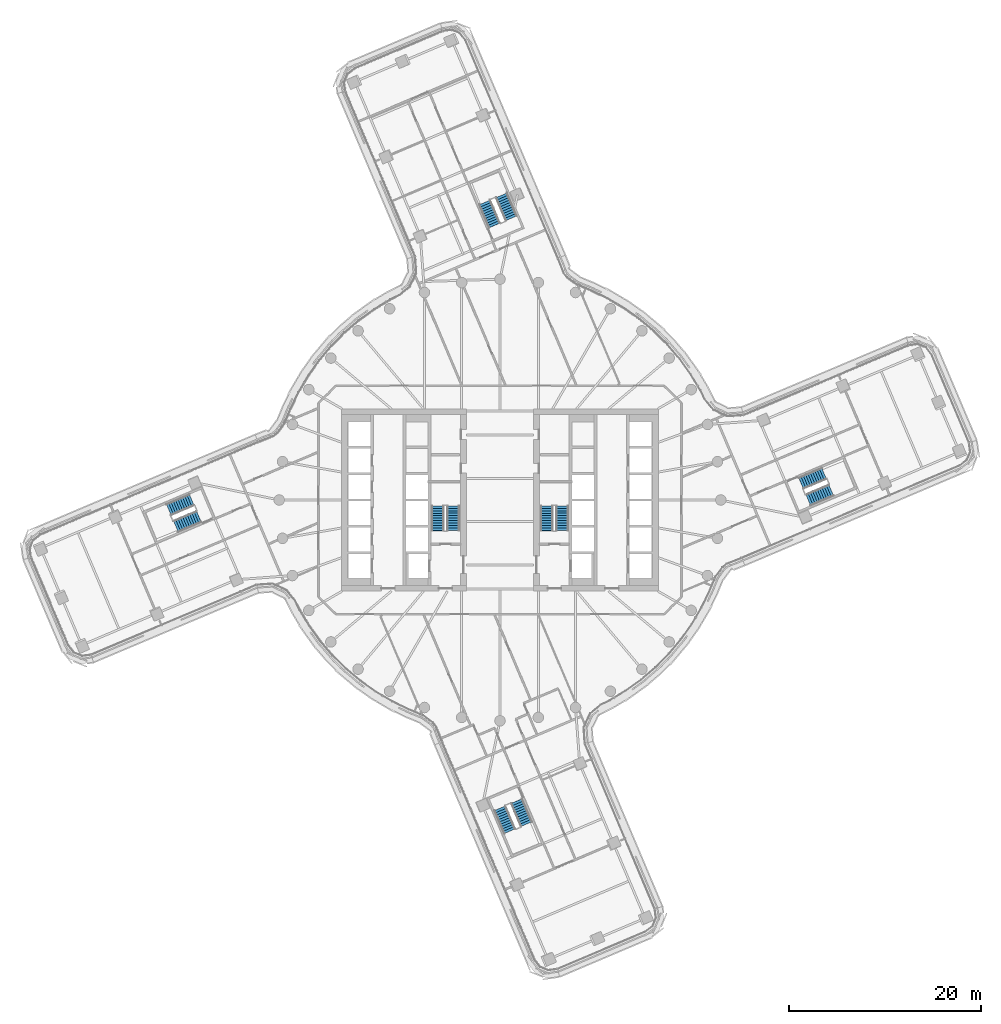
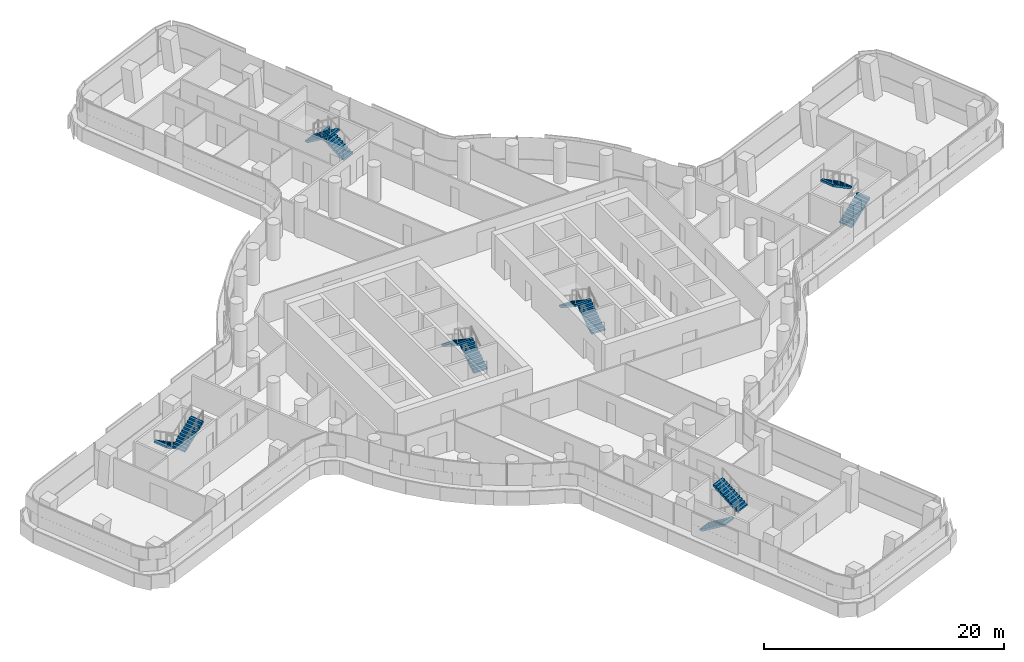
# One storey, part 27 of 35: 12 stair flights, 6 elements without a shape of their own.
"""IFC4 building model written with IfcOpenShell, lengths in metres."""

from ifc_helpers import new_model, si_unit, direction, frame, origin, place, context, subcontext, project, spatial, polyline, outline, extrude, material, type_object, element, aggregate, save


model = new_model("IFC4")

# Units and contexts
model_context = context("Model", 3, precision=1e-05, world=origin(), true_north=direction((0.0, 1.0)))
body_context = subcontext(model_context, "Body", "Model", "MODEL_VIEW")
ifc_project = project(units=[si_unit("LENGTHUNIT", "METRE"), si_unit("AREAUNIT", "SQUARE_METRE"), si_unit("VOLUMEUNIT", "CUBIC_METRE"), si_unit("PLANEANGLEUNIT", "RADIAN"), si_unit("MASSUNIT", "GRAM", prefix="KILO")], contexts=[model_context])

# Site, building, storey
site_placement = place(None, origin())
site = spatial("IfcSite", under=ifc_project, at=site_placement, CompositionType="ELEMENT")
building_placement = place(site_placement, origin())
building = spatial("IfcBuilding", under=site, at=building_placement, Name="Tamarind Cross Interchange Tower", CompositionType="ELEMENT")
storey_placement = place(building_placement, frame((0.0, 0.0, 117.25)))
storey = spatial("IfcBuildingStorey", under=building, at=storey_placement, Name="L28", CompositionType="ELEMENT", Elevation=117.25)

# Stair, stair flights
ifc_material_1 = material(Name="Exit stair")
stair_type = type_object("IfcStairType", Name="Exit stair", PredefinedType="HALF_TURN_STAIR", material=ifc_material_1)
stair_1_placement = place(storey_placement, origin())
stair_1 = element("IfcStair", 1, at=stair_1_placement, inside=storey, type_object=stair_type, Name="L28 exit stair ST1", PredefinedType="HALF_TURN_STAIR")
ifc_material_2 = material(Name="Exit stair flight")
stair_flight_type = type_object("IfcStairFlightType", Name="Exit stair flight", PredefinedType="STRAIGHT", material=ifc_material_2)
stair_flight_1_placement = place(storey_placement, frame((-4.85009765625, -3.199951171875, 0.0), z_axis=(0.0, 0.0, 1.0), x_axis=(0.0, 1.0, 0.0)))
stair_flight_1 = element("IfcStairFlight", 2, at=stair_flight_1_placement, type_object=stair_flight_type, Name="ST1 flight 1", NumberOfRisers=11, NumberOfTreads=10, PredefinedType="STRAIGHT", RiserHeight=0.170454545, TreadLength=0.26, context=body_context, shape_type="SweptSolid", body=[
    extrude(outline(polyline([(0.0, 0.0), (0.0, 0.17041015625), (0.260009765625, 0.17041015625), (0.260009765625, 0.3408203125), (0.52001953125, 0.3408203125), (0.52001953125, 0.511474609375), (0.780029296875, 0.511474609375), (0.780029296875, 0.681884765625), (1.0400390625, 0.681884765625), (1.0400390625, 0.852294921875), (1.300048828125, 0.852294921875), (1.300048828125, 1.022705078125), (1.56005859375, 1.022705078125), (1.56005859375, 1.193115234375), (1.820068359375, 1.193115234375), (1.820068359375, 1.363525390625), (2.080078125, 1.363525390625), (2.080078125, 1.5341796875), (2.340087890625, 1.5341796875), (2.340087890625, 1.70458984375), (2.60009765625, 1.70458984375), (2.60009765625, 1.875), (2.60009765625, 1.525390625), (0.2734375, 0.0), (0.0, 0.0)])), frame((0.0, 0.64990234375, 0.0), z_axis=(0.0, -1.0, 0.0), x_axis=(1.0, 0.0, 0.0)), (0.0, 0.0, 1.0), 1.300048828125),
])
stair_flight_2_placement = place(storey_placement, frame((-6.5, -0.60009765625, 1.875), z_axis=(0.0, 0.0, 1.0), x_axis=(0.0, -1.0, 0.0)))
stair_flight_2 = element("IfcStairFlight", 3, at=stair_flight_2_placement, type_object=stair_flight_type, Name="ST1 flight 2", NumberOfRisers=11, NumberOfTreads=10, PredefinedType="STRAIGHT", RiserHeight=0.170454545, TreadLength=0.26, context=body_context, shape_type="SweptSolid", body=[
    extrude(outline(polyline([(0.0, 0.0), (0.0, 0.17041015625), (0.260009765625, 0.17041015625), (0.260009765625, 0.3408203125), (0.52001953125, 0.3408203125), (0.52001953125, 0.511474609375), (0.780029296875, 0.511474609375), (0.780029296875, 0.681884765625), (1.0400390625, 0.681884765625), (1.0400390625, 0.852294921875), (1.300048828125, 0.852294921875), (1.300048828125, 1.022705078125), (1.56005859375, 1.022705078125), (1.56005859375, 1.193115234375), (1.820068359375, 1.193115234375), (1.820068359375, 1.363525390625), (2.080078125, 1.363525390625), (2.080078125, 1.5341796875), (2.340087890625, 1.5341796875), (2.340087890625, 1.70458984375), (2.60009765625, 1.70458984375), (2.60009765625, 1.7548828125), (2.612060546875, 1.7548828125), (2.612060546875, 1.533203125), (0.2734375, 0.0), (0.0, 0.0)])), frame((0.0, 0.64990234375, 0.0), z_axis=(0.0, -1.0, 0.0), x_axis=(1.0, 0.0, 0.0)), (0.0, 0.0, 1.0), 1.300048828125),
])
aggregate(stair_1, [stair_flight_1, stair_flight_2])

stair_2_placement = place(storey_placement, origin())
stair_2 = element("IfcStair", 4, at=stair_2_placement, inside=storey, type_object=stair_type, Name="L28 exit stair ST2", PredefinedType="HALF_TURN_STAIR")
stair_flight_3_placement = place(storey_placement, frame((6.5, -3.199951171875, 0.0), z_axis=(0.0, 0.0, 1.0), x_axis=(0.0, 1.0, 0.0)))
stair_flight_3 = element("IfcStairFlight", 5, at=stair_flight_3_placement, type_object=stair_flight_type, Name="ST2 flight 1", NumberOfRisers=11, NumberOfTreads=10, PredefinedType="STRAIGHT", RiserHeight=0.170454545, TreadLength=0.26, context=body_context, shape_type="SweptSolid", body=[
    extrude(outline(polyline([(0.0, 0.0), (0.0, 0.17041015625), (0.260009765625, 0.17041015625), (0.260009765625, 0.3408203125), (0.52001953125, 0.3408203125), (0.52001953125, 0.511474609375), (0.780029296875, 0.511474609375), (0.780029296875, 0.681884765625), (1.0400390625, 0.681884765625), (1.0400390625, 0.852294921875), (1.300048828125, 0.852294921875), (1.300048828125, 1.022705078125), (1.56005859375, 1.022705078125), (1.56005859375, 1.193115234375), (1.820068359375, 1.193115234375), (1.820068359375, 1.363525390625), (2.080078125, 1.363525390625), (2.080078125, 1.5341796875), (2.340087890625, 1.5341796875), (2.340087890625, 1.70458984375), (2.60009765625, 1.70458984375), (2.60009765625, 1.875), (2.60009765625, 1.525390625), (0.2734375, 0.0), (0.0, 0.0)])), frame((0.0, 0.64990234375, 0.0), z_axis=(0.0, -1.0, 0.0), x_axis=(1.0, 0.0, 0.0)), (0.0, 0.0, 1.0), 1.300048828125),
])
stair_flight_4_placement = place(storey_placement, frame((4.85009765625, -0.60009765625, 1.875), z_axis=(0.0, 0.0, 1.0), x_axis=(0.0, -1.0, 0.0)))
stair_flight_4 = element("IfcStairFlight", 6, at=stair_flight_4_placement, type_object=stair_flight_type, Name="ST2 flight 2", NumberOfRisers=11, NumberOfTreads=10, PredefinedType="STRAIGHT", RiserHeight=0.170454545, TreadLength=0.26, context=body_context, shape_type="SweptSolid", body=[
    extrude(outline(polyline([(0.0, 0.0), (0.0, 0.17041015625), (0.260009765625, 0.17041015625), (0.260009765625, 0.3408203125), (0.52001953125, 0.3408203125), (0.52001953125, 0.511474609375), (0.780029296875, 0.511474609375), (0.780029296875, 0.681884765625), (1.0400390625, 0.681884765625), (1.0400390625, 0.852294921875), (1.300048828125, 0.852294921875), (1.300048828125, 1.022705078125), (1.56005859375, 1.022705078125), (1.56005859375, 1.193115234375), (1.820068359375, 1.193115234375), (1.820068359375, 1.363525390625), (2.080078125, 1.363525390625), (2.080078125, 1.5341796875), (2.340087890625, 1.5341796875), (2.340087890625, 1.70458984375), (2.60009765625, 1.70458984375), (2.60009765625, 1.7548828125), (2.612060546875, 1.7548828125), (2.612060546875, 1.533203125), (0.2734375, 0.0), (0.0, 0.0)])), frame((0.0, 0.64990234375, 0.0), z_axis=(0.0, -1.0, 0.0), x_axis=(1.0, 0.0, 0.0)), (0.0, 0.0, 1.0), 1.300048828125),
])
aggregate(stair_2, [stair_flight_3, stair_flight_4])

stair_3_placement = place(storey_placement, origin())
stair_3 = element("IfcStair", 7, at=stair_3_placement, inside=storey, type_object=stair_type, Name="L28 exit stair ST3", PredefinedType="HALF_TURN_STAIR")
stair_flight_5_placement = place(storey_placement, frame((32.10400390625, -0.004638671875, 0.0), z_axis=(0.0, 0.0, 1.0), x_axis=(0.920603025823, 0.390499768049, 0.0)))
stair_flight_5 = element("IfcStairFlight", 8, at=stair_flight_5_placement, type_object=stair_flight_type, Name="ST3 flight 1", NumberOfRisers=11, NumberOfTreads=10, PredefinedType="STRAIGHT", RiserHeight=0.170454545, TreadLength=0.26, context=body_context, shape_type="SweptSolid", body=[
    extrude(outline(polyline([(0.0, 0.0), (0.0, 0.17041015625), (0.260009765625, 0.17041015625), (0.260009765625, 0.3408203125), (0.52001953125, 0.3408203125), (0.52001953125, 0.511474609375), (0.780029296875, 0.511474609375), (0.780029296875, 0.681884765625), (1.0400390625, 0.681884765625), (1.0400390625, 0.852294921875), (1.300048828125, 0.852294921875), (1.300048828125, 1.022705078125), (1.56005859375, 1.022705078125), (1.56005859375, 1.193115234375), (1.820068359375, 1.193115234375), (1.820068359375, 1.363525390625), (2.080078125, 1.363525390625), (2.080078125, 1.5341796875), (2.340087890625, 1.5341796875), (2.340087890625, 1.70458984375), (2.60009765625, 1.70458984375), (2.60009765625, 1.875), (2.60009765625, 1.525390625), (0.2734375, 0.0), (0.0, 0.0)])), frame((0.0, 0.64990234375, 0.0), z_axis=(0.0, -1.0, 0.0), x_axis=(1.0, 0.0, 0.0)), (0.0, 0.0, 1.0), 1.300048828125),
])
stair_flight_6_placement = place(storey_placement, frame((33.755615234375, 2.759765625, 1.875), z_axis=(0.0, 0.0, 1.0), x_axis=(-0.920603025823, -0.390499768049, 0.0)))
stair_flight_6 = element("IfcStairFlight", 9, at=stair_flight_6_placement, type_object=stair_flight_type, Name="ST3 flight 2", NumberOfRisers=11, NumberOfTreads=10, PredefinedType="STRAIGHT", RiserHeight=0.170454545, TreadLength=0.26, context=body_context, shape_type="SweptSolid", body=[
    extrude(outline(polyline([(0.0, 0.0), (0.0, 0.17041015625), (0.260009765625, 0.17041015625), (0.260009765625, 0.3408203125), (0.52001953125, 0.3408203125), (0.52001953125, 0.511474609375), (0.780029296875, 0.511474609375), (0.780029296875, 0.681884765625), (1.0400390625, 0.681884765625), (1.0400390625, 0.852294921875), (1.300048828125, 0.852294921875), (1.300048828125, 1.022705078125), (1.56005859375, 1.022705078125), (1.56005859375, 1.193115234375), (1.820068359375, 1.193115234375), (1.820068359375, 1.363525390625), (2.080078125, 1.363525390625), (2.080078125, 1.5341796875), (2.340087890625, 1.5341796875), (2.340087890625, 1.70458984375), (2.60009765625, 1.70458984375), (2.60009765625, 1.7548828125), (2.612060546875, 1.7548828125), (2.612060546875, 1.533203125), (0.2734375, 0.0), (0.0, 0.0)])), frame((0.0, 0.64990234375, 0.0), z_axis=(0.0, -1.0, 0.0), x_axis=(1.0, 0.0, 0.0)), (0.0, 0.0, 1.0), 1.300048828125),
])
aggregate(stair_3, [stair_flight_5, stair_flight_6])

stair_4_placement = place(storey_placement, origin())
stair_4 = element("IfcStair", 10, at=stair_4_placement, inside=storey, type_object=stair_type, Name="L28 exit stair ST4", PredefinedType="HALF_TURN_STAIR")
stair_flight_7_placement = place(storey_placement, frame((1.17626953125, 29.34228515625, 0.0), z_axis=(0.0, 0.0, 1.0), x_axis=(-0.390499768049, 0.920603025823, 0.0)))
stair_flight_7 = element("IfcStairFlight", 11, at=stair_flight_7_placement, type_object=stair_flight_type, Name="ST4 flight 1", NumberOfRisers=11, NumberOfTreads=10, PredefinedType="STRAIGHT", RiserHeight=0.170454545, TreadLength=0.26, context=body_context, shape_type="SweptSolid", body=[
    extrude(outline(polyline([(0.0, 0.0), (0.0, 0.17041015625), (0.260009765625, 0.17041015625), (0.260009765625, 0.3408203125), (0.52001953125, 0.3408203125), (0.52001953125, 0.511474609375), (0.780029296875, 0.511474609375), (0.780029296875, 0.681884765625), (1.0400390625, 0.681884765625), (1.0400390625, 0.852294921875), (1.300048828125, 0.852294921875), (1.300048828125, 1.022705078125), (1.56005859375, 1.022705078125), (1.56005859375, 1.193115234375), (1.820068359375, 1.193115234375), (1.820068359375, 1.363525390625), (2.080078125, 1.363525390625), (2.080078125, 1.5341796875), (2.340087890625, 1.5341796875), (2.340087890625, 1.70458984375), (2.60009765625, 1.70458984375), (2.60009765625, 1.875), (2.60009765625, 1.525390625), (0.2734375, 0.0), (0.0, 0.0)])), frame((0.0, 0.64990234375, 0.0), z_axis=(0.0, -1.0, 0.0), x_axis=(1.0, 0.0, 0.0)), (0.0, 0.0, 1.0), 1.300048828125),
])
stair_flight_8_placement = place(storey_placement, frame((-1.588134765625, 30.993896484375, 1.875), z_axis=(0.0, 0.0, 1.0), x_axis=(0.390499768049, -0.920603025823, 0.0)))
stair_flight_8 = element("IfcStairFlight", 12, at=stair_flight_8_placement, type_object=stair_flight_type, Name="ST4 flight 2", NumberOfRisers=11, NumberOfTreads=10, PredefinedType="STRAIGHT", RiserHeight=0.170454545, TreadLength=0.26, context=body_context, shape_type="SweptSolid", body=[
    extrude(outline(polyline([(0.0, 0.0), (0.0, 0.17041015625), (0.260009765625, 0.17041015625), (0.260009765625, 0.3408203125), (0.52001953125, 0.3408203125), (0.52001953125, 0.511474609375), (0.780029296875, 0.511474609375), (0.780029296875, 0.681884765625), (1.0400390625, 0.681884765625), (1.0400390625, 0.852294921875), (1.300048828125, 0.852294921875), (1.300048828125, 1.022705078125), (1.56005859375, 1.022705078125), (1.56005859375, 1.193115234375), (1.820068359375, 1.193115234375), (1.820068359375, 1.363525390625), (2.080078125, 1.363525390625), (2.080078125, 1.5341796875), (2.340087890625, 1.5341796875), (2.340087890625, 1.70458984375), (2.60009765625, 1.70458984375), (2.60009765625, 1.7548828125), (2.612060546875, 1.7548828125), (2.612060546875, 1.533203125), (0.2734375, 0.0), (0.0, 0.0)])), frame((0.0, 0.64990234375, 0.0), z_axis=(0.0, -1.0, 0.0), x_axis=(1.0, 0.0, 0.0)), (0.0, 0.0, 1.0), 1.300048828125),
])
aggregate(stair_4, [stair_flight_7, stair_flight_8])

stair_5_placement = place(storey_placement, origin())
stair_5 = element("IfcStair", 13, at=stair_5_placement, inside=storey, type_object=stair_type, Name="L28 exit stair ST5", PredefinedType="HALF_TURN_STAIR")
stair_flight_9_placement = place(storey_placement, frame((-32.10400390625, 0.004638671875, 0.0), z_axis=(0.0, 0.0, 1.0), x_axis=(-0.920603025823, -0.390499768049, 0.0)))
stair_flight_9 = element("IfcStairFlight", 14, at=stair_flight_9_placement, type_object=stair_flight_type, Name="ST5 flight 1", NumberOfRisers=11, NumberOfTreads=10, PredefinedType="STRAIGHT", RiserHeight=0.170454545, TreadLength=0.26, context=body_context, shape_type="SweptSolid", body=[
    extrude(outline(polyline([(0.0, 0.0), (0.0, 0.17041015625), (0.260009765625, 0.17041015625), (0.260009765625, 0.3408203125), (0.52001953125, 0.3408203125), (0.52001953125, 0.511474609375), (0.780029296875, 0.511474609375), (0.780029296875, 0.681884765625), (1.0400390625, 0.681884765625), (1.0400390625, 0.852294921875), (1.300048828125, 0.852294921875), (1.300048828125, 1.022705078125), (1.56005859375, 1.022705078125), (1.56005859375, 1.193115234375), (1.820068359375, 1.193115234375), (1.820068359375, 1.363525390625), (2.080078125, 1.363525390625), (2.080078125, 1.5341796875), (2.340087890625, 1.5341796875), (2.340087890625, 1.70458984375), (2.60009765625, 1.70458984375), (2.60009765625, 1.875), (2.60009765625, 1.525390625), (0.2734375, 0.0), (0.0, 0.0)])), frame((0.0, 0.64990234375, 0.0), z_axis=(0.0, -1.0, 0.0), x_axis=(1.0, 0.0, 0.0)), (0.0, 0.0, 1.0), 1.300048828125),
])
stair_flight_10_placement = place(storey_placement, frame((-33.755615234375, -2.759765625, 1.875), z_axis=(0.0, 0.0, 1.0), x_axis=(0.920603025823, 0.390499768049, 0.0)))
stair_flight_10 = element("IfcStairFlight", 15, at=stair_flight_10_placement, type_object=stair_flight_type, Name="ST5 flight 2", NumberOfRisers=11, NumberOfTreads=10, PredefinedType="STRAIGHT", RiserHeight=0.170454545, TreadLength=0.26, context=body_context, shape_type="SweptSolid", body=[
    extrude(outline(polyline([(0.0, 0.0), (0.0, 0.17041015625), (0.260009765625, 0.17041015625), (0.260009765625, 0.3408203125), (0.52001953125, 0.3408203125), (0.52001953125, 0.511474609375), (0.780029296875, 0.511474609375), (0.780029296875, 0.681884765625), (1.0400390625, 0.681884765625), (1.0400390625, 0.852294921875), (1.300048828125, 0.852294921875), (1.300048828125, 1.022705078125), (1.56005859375, 1.022705078125), (1.56005859375, 1.193115234375), (1.820068359375, 1.193115234375), (1.820068359375, 1.363525390625), (2.080078125, 1.363525390625), (2.080078125, 1.5341796875), (2.340087890625, 1.5341796875), (2.340087890625, 1.70458984375), (2.60009765625, 1.70458984375), (2.60009765625, 1.7548828125), (2.612060546875, 1.7548828125), (2.612060546875, 1.533203125), (0.2734375, 0.0), (0.0, 0.0)])), frame((0.0, 0.64990234375, 0.0), z_axis=(0.0, -1.0, 0.0), x_axis=(1.0, 0.0, 0.0)), (0.0, 0.0, 1.0), 1.300048828125),
])
aggregate(stair_5, [stair_flight_9, stair_flight_10])

stair_6_placement = place(storey_placement, origin())
stair_6 = element("IfcStair", 16, at=stair_6_placement, inside=storey, type_object=stair_type, Name="L28 exit stair ST6", PredefinedType="HALF_TURN_STAIR")
stair_flight_11_placement = place(storey_placement, frame((-0.004638671875, -32.10400390625, 0.0), z_axis=(0.0, 0.0, 1.0), x_axis=(0.390499768049, -0.920603025823, 0.0)))
stair_flight_11 = element("IfcStairFlight", 17, at=stair_flight_11_placement, type_object=stair_flight_type, Name="ST6 flight 1", NumberOfRisers=11, NumberOfTreads=10, PredefinedType="STRAIGHT", RiserHeight=0.170454545, TreadLength=0.26, context=body_context, shape_type="SweptSolid", body=[
    extrude(outline(polyline([(0.0, 0.0), (0.0, 0.17041015625), (0.260009765625, 0.17041015625), (0.260009765625, 0.3408203125), (0.52001953125, 0.3408203125), (0.52001953125, 0.511474609375), (0.780029296875, 0.511474609375), (0.780029296875, 0.681884765625), (1.0400390625, 0.681884765625), (1.0400390625, 0.852294921875), (1.300048828125, 0.852294921875), (1.300048828125, 1.022705078125), (1.56005859375, 1.022705078125), (1.56005859375, 1.193115234375), (1.820068359375, 1.193115234375), (1.820068359375, 1.363525390625), (2.080078125, 1.363525390625), (2.080078125, 1.5341796875), (2.340087890625, 1.5341796875), (2.340087890625, 1.70458984375), (2.60009765625, 1.70458984375), (2.60009765625, 1.875), (2.60009765625, 1.525390625), (0.2734375, 0.0), (0.0, 0.0)])), frame((0.0, 0.64990234375, 0.0), z_axis=(0.0, -1.0, 0.0), x_axis=(1.0, 0.0, 0.0)), (0.0, 0.0, 1.0), 1.300048828125),
])
stair_flight_12_placement = place(storey_placement, frame((2.759765625, -33.755615234375, 1.875), z_axis=(0.0, 0.0, 1.0), x_axis=(-0.390499768049, 0.920603025823, 0.0)))
stair_flight_12 = element("IfcStairFlight", 18, at=stair_flight_12_placement, type_object=stair_flight_type, Name="ST6 flight 2", NumberOfRisers=11, NumberOfTreads=10, PredefinedType="STRAIGHT", RiserHeight=0.170454545, TreadLength=0.26, context=body_context, shape_type="SweptSolid", body=[
    extrude(outline(polyline([(0.0, 0.0), (0.0, 0.17041015625), (0.260009765625, 0.17041015625), (0.260009765625, 0.3408203125), (0.52001953125, 0.3408203125), (0.52001953125, 0.511474609375), (0.780029296875, 0.511474609375), (0.780029296875, 0.681884765625), (1.0400390625, 0.681884765625), (1.0400390625, 0.852294921875), (1.300048828125, 0.852294921875), (1.300048828125, 1.022705078125), (1.56005859375, 1.022705078125), (1.56005859375, 1.193115234375), (1.820068359375, 1.193115234375), (1.820068359375, 1.363525390625), (2.080078125, 1.363525390625), (2.080078125, 1.5341796875), (2.340087890625, 1.5341796875), (2.340087890625, 1.70458984375), (2.60009765625, 1.70458984375), (2.60009765625, 1.7548828125), (2.612060546875, 1.7548828125), (2.612060546875, 1.533203125), (0.2734375, 0.0), (0.0, 0.0)])), frame((0.0, 0.64990234375, 0.0), z_axis=(0.0, -1.0, 0.0), x_axis=(1.0, 0.0, 0.0)), (0.0, 0.0, 1.0), 1.300048828125),
])
aggregate(stair_6, [stair_flight_11, stair_flight_12])

save(model, "model.ifc")
